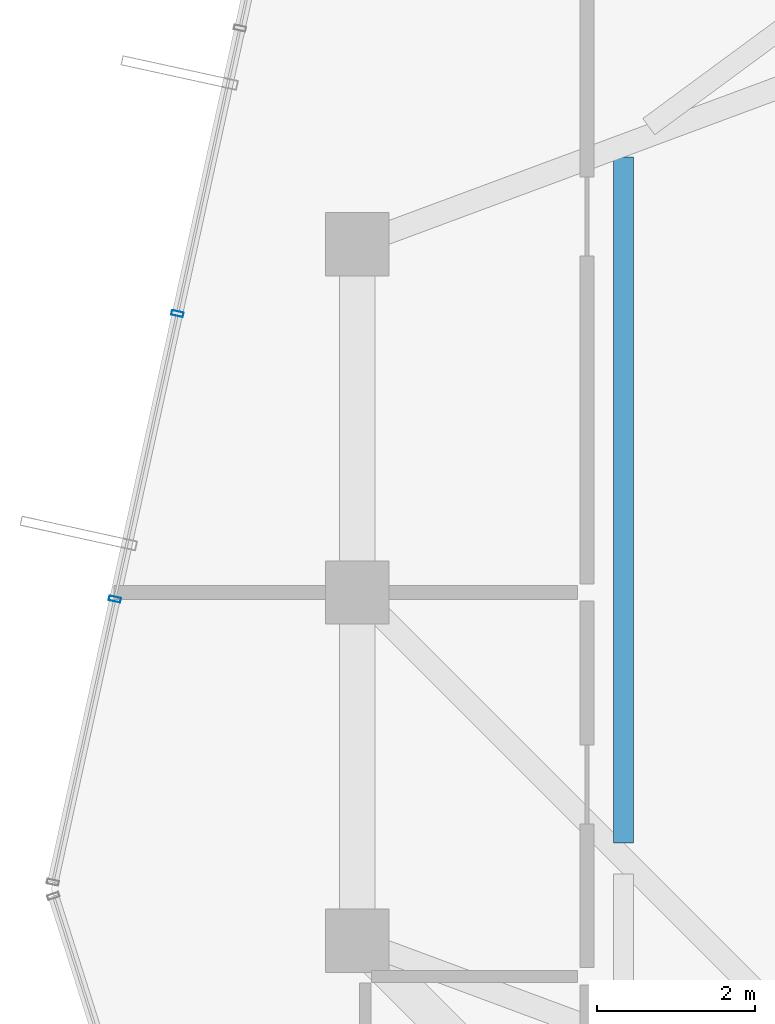
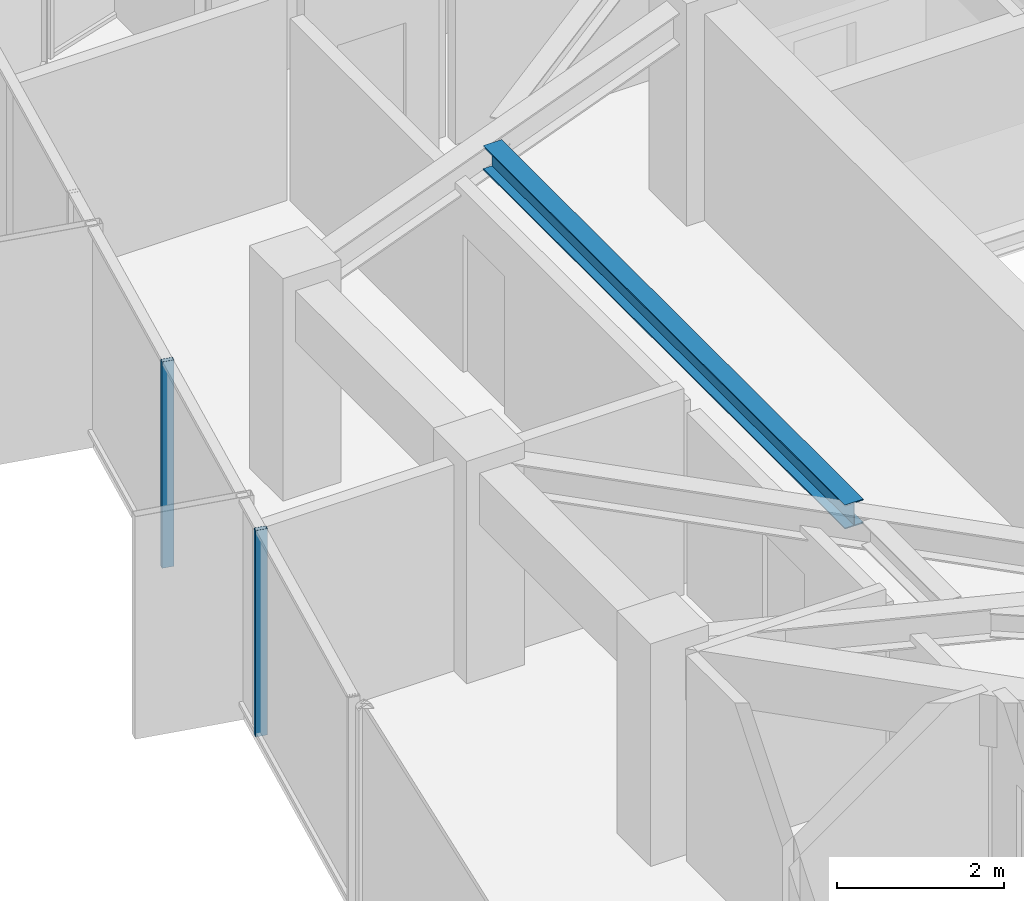
# One storey, part 11 of 28: 2 members, 1 beam, 1 element without a shape of its own.
"""IFC4 building model written with IfcOpenShell, lengths in metres."""

from ifc_helpers import new_model, si_unit, direction, frame, origin, origin_2d, place, context, subcontext, project, spatial, hollow_rectangle, i_section, extrude, source, transform, mapped, material, layer, layer_set, material_profile, profile_set, type_object, element, aggregate, save


model = new_model("IFC4")

# Units and contexts
model_context = context("Model", 3, precision=1e-05, world=origin(), true_north=direction((0.0, 1.0)))
body_context = subcontext(model_context, "Body", "Model", "MODEL_VIEW")
ifc_project = project(units=[si_unit("LENGTHUNIT", "METRE"), si_unit("AREAUNIT", "SQUARE_METRE"), si_unit("VOLUMEUNIT", "CUBIC_METRE"), si_unit("PLANEANGLEUNIT", "RADIAN"), si_unit("MASSUNIT", "GRAM", prefix="KILO")], contexts=[model_context])

# Site, building, storey
site_placement = place(None, origin())
site = spatial("IfcSite", under=ifc_project, at=site_placement, CompositionType="ELEMENT")
building_placement = place(site_placement, origin())
building = spatial("IfcBuilding", under=site, at=building_placement, Name="Veraguas Prism Commons", CompositionType="ELEMENT")
storey_placement = place(building_placement, frame((0.0, 0.0, 251.25)))
storey = spatial("IfcBuildingStorey", under=building, at=storey_placement, Name="L71", CompositionType="ELEMENT", Elevation=251.25)

# Beam
ifc_material_1 = material(Name="Steel ASTM A992 Grade 50", Category="steel")
ifc_material_profile_1 = material_profile(ifc_material_1, i_section(OverallWidth=0.25390625, OverallDepth=0.35302734375, WebThickness=0.009521484375, FlangeThickness=0.016357421875, at=origin_2d()), Name="W360X91")
ifc_profile_set_1 = profile_set([ifc_material_profile_1], Name="Steel ASTM A992 Grade 50")
beam_type = type_object("IfcBeamType", Name="Upper Floor Joist W360x91", PredefinedType="JOIST", material=ifc_profile_set_1)
beam_placement = place(storey_placement, frame((13.56005859375, 29.499267578125, 2.83837890625), z_axis=(0.0, -1.0, 0.0), x_axis=(1.0, 0.0, 0.0)))
element("IfcBeam", 1, at=beam_placement, inside=storey, type_object=beam_type, Name="Composite Floor Joist L71-JS07", PredefinedType="JOIST", context=body_context, shape_type="SweptSolid", body=[
    extrude(i_section(OverallWidth=0.25390625, OverallDepth=0.35302734375, WebThickness=0.009521484375, FlangeThickness=0.016357421875, at=origin_2d()), origin(), (0.0, 0.0, 1.0), 8.661865234375),
])

# Curtain wall, members
ifc_material_2 = material(Name="Anodised aluminium EN AW-6063 T6", Category="aluminium")
ifc_layer = layer(ifc_material_2, 0.14990234375, Name="Unitised Flush Curtain Wall Zone 4", Category="aluminium")
ifc_layer_set = layer_set([ifc_layer], Name="Anodised aluminium EN AW-6063 T6")
curtain_wall_type = type_object("IfcCurtainWallType", Name="Unitised Flush Curtain Wall Zone 4", PredefinedType="NOTDEFINED", material=ifc_layer_set)
curtain_wall_placement = place(storey_placement, origin())
curtain_wall = element("IfcCurtainWall", 2, at=curtain_wall_placement, inside=storey, type_object=curtain_wall_type, Name="Tower Facade Curtain Wall L71-F3", PredefinedType="NOTDEFINED")
ifc_material_profile_2 = material_profile(ifc_material_2, hollow_rectangle(XDim=0.06005859375, YDim=0.14990234375, WallThickness=0.0029296875, at=origin_2d()), Name="AL60X150X3")
ifc_profile_set_2 = profile_set([ifc_material_profile_2], Name="Anodised aluminium EN AW-6063 T6")
member_type = type_object("IfcMemberType", Name="Curtain Wall Mullion Upper AL 60x150x3", PredefinedType="MULLION", material=ifc_profile_set_2)
shared_shape = source(origin(), body_context, "Body", "SweptSolid", [
    extrude(hollow_rectangle(XDim=0.06005859375, YDim=0.14990234375, WallThickness=0.0029296875, at=origin_2d()), origin(), (0.0, 0.0, 1.0), 3.014892578125),
])
member_1_placement = place(storey_placement, frame((7.927001953125, 27.522216796875, 0.0), z_axis=(0.0, 0.0, 1.0), x_axis=(-0.214053429014, -0.976821953852, 0.0)))
member_1 = element("IfcMember", 3, at=member_1_placement, type_object=member_type, Name="CW-Z4 Mullion 3", PredefinedType="MULLION", context=body_context, shape_type="MappedRepresentation", body=[
    mapped(shared_shape, transform((0.0, 0.0, 0.0), scale=1.0)),
])
member_2_placement = place(storey_placement, frame((7.13671875, 23.916015625, 0.0), z_axis=(0.0, 0.0, 1.0), x_axis=(-0.214053429014, -0.976821953852, 0.0)))
member_2 = element("IfcMember", 4, at=member_2_placement, type_object=member_type, Name="CW-Z4 Mullion 4", PredefinedType="MULLION", context=body_context, shape_type="MappedRepresentation", body=[
    mapped(shared_shape, transform((0.0, 0.0, 0.0), scale=1.0)),
])
aggregate(curtain_wall, [member_1, member_2])

save(model, "model.ifc")
